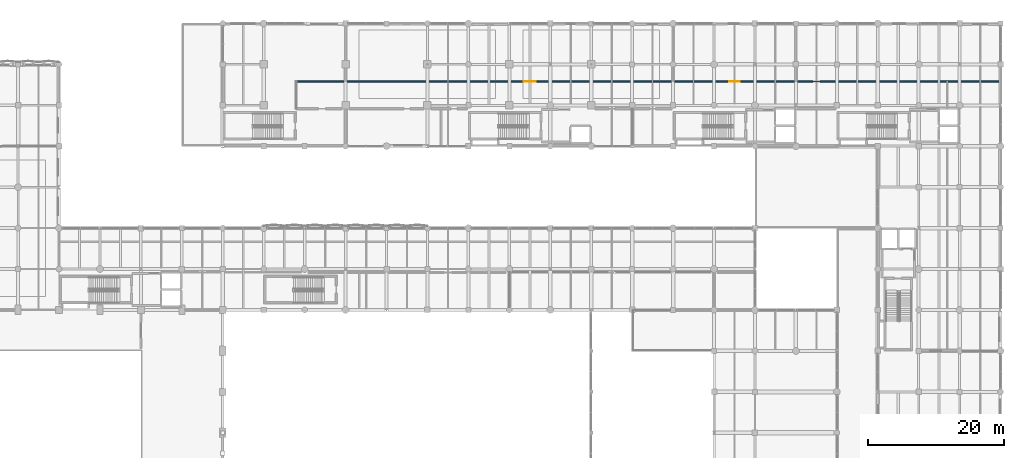
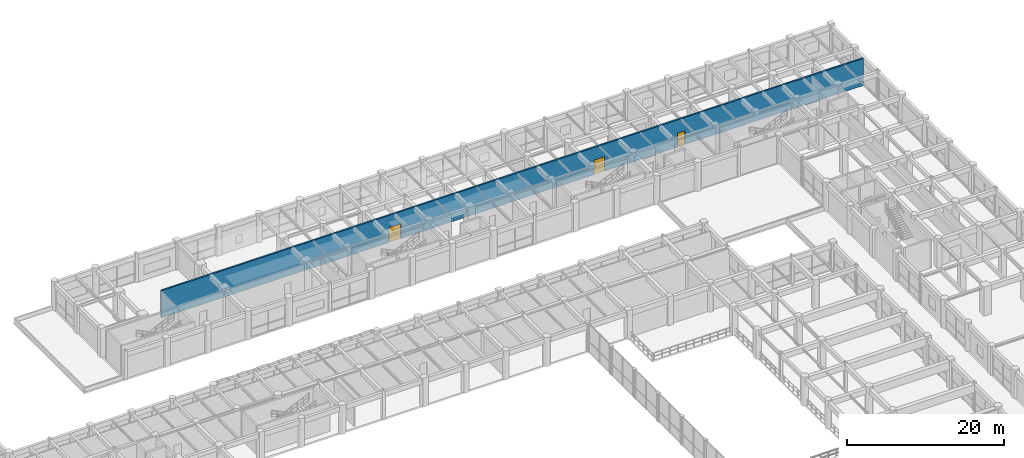
# One storey, part 108 of 133: 3 doors, 1 wall, 3 openings.
"""IFC4 building model written with IfcOpenShell, lengths in metres."""

from ifc_helpers import new_model, si_unit, direction, frame, frame_2d, origin, place, context, subcontext, project, spatial, rectangle, extrude, material, layer, layer_set, type_object, element, fill, save


model = new_model("IFC4")

# Units and contexts
model_context = context("Model", 3, precision=1e-05, world=origin(), true_north=direction((0.0, 1.0)))
body_context = subcontext(model_context, "Body", "Model", "MODEL_VIEW")
ifc_project = project(units=[si_unit("LENGTHUNIT", "METRE"), si_unit("AREAUNIT", "SQUARE_METRE"), si_unit("VOLUMEUNIT", "CUBIC_METRE"), si_unit("PLANEANGLEUNIT", "RADIAN"), si_unit("MASSUNIT", "GRAM", prefix="KILO"), si_unit("THERMODYNAMICTEMPERATUREUNIT", "KELVIN"), si_unit("POWERUNIT", "WATT")], contexts=[model_context])

# Site, building, storey
site_placement = place(None, origin())
site = spatial("IfcSite", under=ifc_project, at=site_placement, CompositionType="ELEMENT")
building_placement = place(site_placement, origin())
building = spatial("IfcBuilding", under=site, at=building_placement, Name="Phaisarnlok Congress Hotel", CompositionType="ELEMENT")
storey_placement = place(building_placement, frame((0.0, 0.0, 6.0)))
storey = spatial("IfcBuildingStorey", under=building, at=storey_placement, Name="L01", CompositionType="ELEMENT", Elevation=6.0)

# Wall, openings, doors
ifc_material_1 = material(Name="Concrete C40/50", Category="concrete")
ifc_layer = layer(ifc_material_1, 0.239990234375, Name="Concrete C40/50")
ifc_layer_set = layer_set([ifc_layer], Name="Concrete C40/50")
wall_type = type_object("IfcWallType", Name="WL-INT-240", PredefinedType="PARTITIONING", material=ifc_layer_set)
wall_placement = place(storey_placement, frame((76.75, 117.5, 0.0), z_axis=(0.0, 0.0, 1.0), x_axis=(1.0, 0.0, 0.0)))
wall = element("IfcWall", 1, at=wall_placement, inside=storey, type_object=wall_type, Name="Interior partition wall IW-01 (L01)", PredefinedType="PARTITIONING", context=body_context, shape_type="SweptSolid", body=[
    extrude(rectangle(XDim=103.014892578125, YDim=0.239990234375, at=frame_2d((51.50732421875, 0.0))), origin(), (0.0, 0.0, 1.0), 4.219970703125),
])
opening_1_placement = place(wall_placement, frame((33.35009765625, 0.0, 0.0)))
opening_1 = element("IfcOpeningElement", 2, at=opening_1_placement, cuts=wall, Name="Opening D-0069", PredefinedType="OPENING", context=body_context, shape_type="SweptSolid", body=[
    extrude(rectangle(XDim=1.800048828125, YDim=2.35009765625, at=frame_2d((0.89990234375, 1.175048828125))), frame((0.0, 0.1298828125, 0.0), z_axis=(0.0, -1.0, 0.0), x_axis=(1.0, 0.0, 0.0)), (0.0, 0.0, 1.0), 0.260009765625),
])
opening_2_placement = place(wall_placement, frame((63.449951171875, 0.0, 0.0)))
opening_2 = element("IfcOpeningElement", 3, at=opening_2_placement, cuts=wall, Name="Opening D-0070", PredefinedType="OPENING", context=body_context, shape_type="SweptSolid", body=[
    extrude(rectangle(XDim=1.60009765625, YDim=2.25, at=frame_2d((0.800048828125, 1.125))), frame((0.0, 0.1298828125, 0.0), z_axis=(0.0, -1.0, 0.0), x_axis=(1.0, 0.0, 0.0)), (0.0, 0.0, 1.0), 0.260009765625),
])
opening_3_placement = place(wall_placement, frame((75.699951171875, 0.0, 0.0)))
opening_3 = element("IfcOpeningElement", 4, at=opening_3_placement, cuts=wall, Name="Opening D-0071", PredefinedType="OPENING", context=body_context, shape_type="SweptSolid", body=[
    extrude(rectangle(XDim=1.10009765625, YDim=2.14990234375, at=frame_2d((0.550048828125, 1.074951171875))), frame((0.0, 0.1298828125, 0.0), z_axis=(0.0, -1.0, 0.0), x_axis=(1.0, 0.0, 0.0)), (0.0, 0.0, 1.0), 0.260009765625),
])
ifc_material_2 = material(Name="Fire-Rated Steel Frame & Timber Leaf", Category="steel")
door_type_1 = type_object("IfcDoorType", Name="DR-FD60-1100", OperationType="NOTDEFINED", PredefinedType="DOOR", material=ifc_material_2)
door_1_placement = place(opening_3_placement, origin())
door_1 = element("IfcDoor", 5, at=door_1_placement, inside=storey, type_object=door_type_1, Name="Interior door D-0071 (L01)", OperationType="SINGLE_SWING_LEFT", OverallHeight=2.14990234375, OverallWidth=1.10009765625, PredefinedType="DOOR", context=body_context, shape_type="SweptSolid", body=[
    extrude(rectangle(XDim=1.10009765625, YDim=2.14990234375, at=frame_2d((0.550048828125, 1.074951171875))), frame((0.0, 0.02490234375, 0.0), z_axis=(0.0, -1.0, 0.0), x_axis=(1.0, 0.0, 0.0)), (0.0, 0.0, 1.0), 0.050048828125),
])
fill(opening_3, door_1)
ifc_material_3 = material(Name="Frameless Tempered Acoustic Glass", Category="glass")
door_type_2 = type_object("IfcDoorType", Name="DR-GLZ-1600", OperationType="DOUBLE_DOOR_SINGLE_SWING", PredefinedType="DOOR", material=ifc_material_3)
door_2_placement = place(opening_2_placement, origin())
door_2 = element("IfcDoor", 6, at=door_2_placement, inside=storey, type_object=door_type_2, Name="Interior door D-0070 (L01)", OperationType="DOUBLE_DOOR_SINGLE_SWING", OverallHeight=2.25, OverallWidth=1.60009765625, PredefinedType="DOOR", context=body_context, shape_type="SweptSolid", body=[
    extrude(rectangle(XDim=1.60009765625, YDim=2.25, at=frame_2d((0.800048828125, 1.125))), frame((0.0, 0.02490234375, 0.0), z_axis=(0.0, -1.0, 0.0), x_axis=(1.0, 0.0, 0.0)), (0.0, 0.0, 1.0), 0.050048828125),
])
fill(opening_2, door_2)
door_type_3 = type_object("IfcDoorType", Name="DR-GLZ-1800", OperationType="DOUBLE_DOOR_SINGLE_SWING", PredefinedType="DOOR", material=ifc_material_3)
door_3_placement = place(opening_1_placement, origin())
door_3 = element("IfcDoor", 7, at=door_3_placement, inside=storey, type_object=door_type_3, Name="Interior door D-0069 (L01)", OperationType="DOUBLE_DOOR_SINGLE_SWING", OverallHeight=2.35009765625, OverallWidth=1.800048828125, PredefinedType="DOOR", context=body_context, shape_type="SweptSolid", body=[
    extrude(rectangle(XDim=1.800048828125, YDim=2.35009765625, at=frame_2d((0.89990234375, 1.175048828125))), frame((0.0, 0.02490234375, 0.0), z_axis=(0.0, -1.0, 0.0), x_axis=(1.0, 0.0, 0.0)), (0.0, 0.0, 1.0), 0.050048828125),
])
fill(opening_1, door_3)

save(model, "model.ifc")
